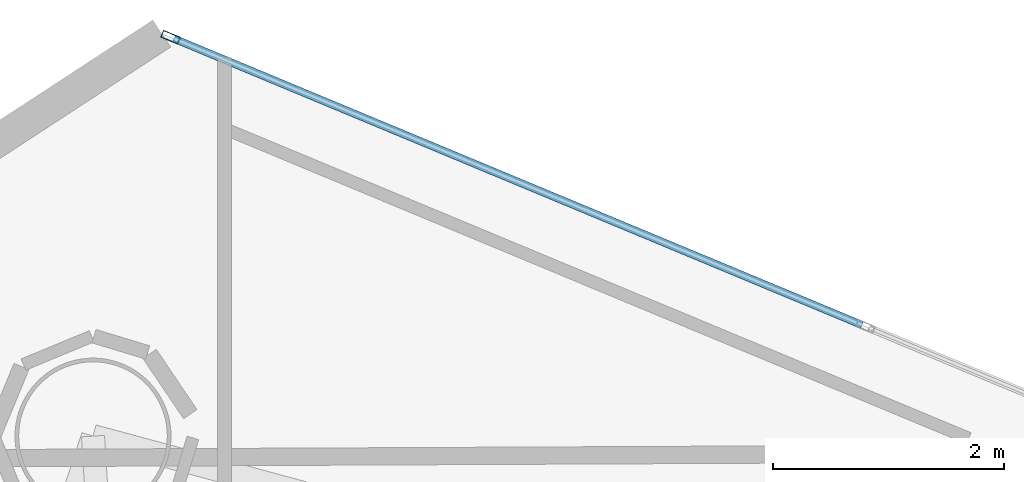
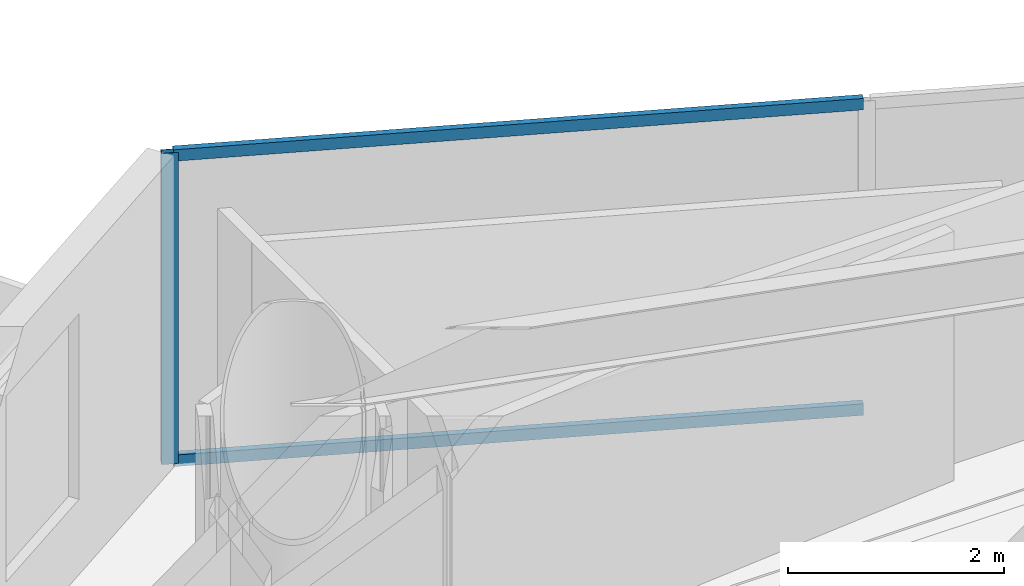
# One storey, part 17 of 23: 3 members, 1 element without a shape of its own.
"""IFC4 building model written with IfcOpenShell, lengths in metres."""

from ifc_helpers import new_model, si_unit, direction, frame, origin, origin_2d, place, context, subcontext, project, spatial, hollow_rectangle, extrude, material, layer, layer_set, material_profile, profile_set, type_object, element, aggregate, save


model = new_model("IFC4")

# Units and contexts
model_context = context("Model", 3, precision=1e-05, world=origin(), true_north=direction((0.0, 1.0)))
body_context = subcontext(model_context, "Body", "Model", "MODEL_VIEW")
ifc_project = project(units=[si_unit("LENGTHUNIT", "METRE"), si_unit("AREAUNIT", "SQUARE_METRE"), si_unit("VOLUMEUNIT", "CUBIC_METRE"), si_unit("PLANEANGLEUNIT", "RADIAN"), si_unit("MASSUNIT", "GRAM", prefix="KILO")], contexts=[model_context])

# Site, building, storey
site_placement = place(None, origin())
site = spatial("IfcSite", under=ifc_project, at=site_placement, CompositionType="ELEMENT")
building_placement = place(site_placement, origin())
building = spatial("IfcBuilding", under=site, at=building_placement, Name="Qianvela Tower", CompositionType="ELEMENT")
storey_placement = place(building_placement, frame((0.0, 0.0, 162.39990234375)))
storey = spatial("IfcBuildingStorey", under=building, at=storey_placement, Name="L41", CompositionType="ELEMENT", Elevation=162.39990234375)

# Curtain wall, members
ifc_material_1 = material(Name="Anodised Architectural Aluminium and Low-E Glass", Category="aluminium")
ifc_layer = layer(ifc_material_1, 0.169921875)
ifc_layer_set = layer_set([ifc_layer], Name="Anodised Architectural Aluminium and Low-E Glass")
curtain_wall_type = type_object("IfcCurtainWallType", Name="CW-COLIV-Z34", PredefinedType="USERDEFINED", material=ifc_layer_set)
curtain_wall_placement = place(storey_placement, origin())
curtain_wall = element("IfcCurtainWall", 1, at=curtain_wall_placement, inside=storey, type_object=curtain_wall_type, Name="L41 CW-COLIV-Z34 Curtain Wall 02C", ObjectType="CURTAIN_WALL_SYSTEM", PredefinedType="USERDEFINED")
ifc_material_2 = material(Name="Anodised Architectural Aluminium 6063-T6", Category="aluminium")
ifc_material_profile_1 = material_profile(ifc_material_2, hollow_rectangle(XDim=0.06494140625, YDim=0.159912109375, WallThickness=0.0048828125, at=origin_2d()), Name="ALU-MULL-65x160")
ifc_profile_set_1 = profile_set([ifc_material_profile_1], Name="Anodised Architectural Aluminium 6063-T6")
member_type_1 = type_object("IfcMemberType", Name="CW-COLIV-Z34-MULL", PredefinedType="MULLION", material=ifc_profile_set_1)
member_1_placement = place(storey_placement, frame((28.906005859375, 42.86279296875, 0.0), z_axis=(0.0, 0.0, 1.0), x_axis=(-0.3841819173, -0.923257415037, 0.0)))
member_1 = element("IfcMember", 2, at=member_1_placement, type_object=member_type_1, Name="CW-4 mullion 3", PredefinedType="MULLION", context=body_context, shape_type="SweptSolid", body=[
    extrude(hollow_rectangle(XDim=0.06494140625, YDim=0.159912109375, WallThickness=0.0048828125, at=origin_2d()), origin(), (0.0, 0.0, 1.0), 3.52001953125),
])
ifc_material_3 = material(Name="Anodised Architectural Aluminium 6063-T6", Category="aluminium")
ifc_material_profile_2 = material_profile(ifc_material_3, hollow_rectangle(XDim=0.06494140625, YDim=0.1298828125, WallThickness=0.00439453125, at=origin_2d()), Name="ALU-TRAN-65x130")
ifc_profile_set_2 = profile_set([ifc_material_profile_2], Name="Anodised Architectural Aluminium 6063-T6")
member_type_2 = type_object("IfcMemberType", Name="CW-COLIV-Z34-TRAN", PredefinedType="USERDEFINED", material=ifc_profile_set_2)
member_2_placement = place(storey_placement, frame((34.888427734375, 40.373291015625, 0.03271484375), z_axis=(-0.92325383303, 0.384190525384, 0.0), x_axis=(-0.384190525384, -0.92325383303, 0.0)))
member_2 = element("IfcMember", 3, at=member_2_placement, type_object=member_type_2, Name="CW-4 transom 2.1", ObjectType="TRANSOM", PredefinedType="USERDEFINED", context=body_context, shape_type="SweptSolid", body=[
    extrude(hollow_rectangle(XDim=0.06494140625, YDim=0.1298828125, WallThickness=0.00439453125, at=origin_2d()), origin(), (0.0, 0.0, 1.0), 6.447509765625),
])
member_3_placement = place(storey_placement, frame((34.888427734375, 40.373291015625, 3.487548828125), z_axis=(-0.92325383303, 0.384190525384, 0.0), x_axis=(-0.384190525384, -0.92325383303, 0.0)))
member_3 = element("IfcMember", 4, at=member_3_placement, type_object=member_type_2, Name="CW-4 transom 2.2", ObjectType="TRANSOM", PredefinedType="USERDEFINED", context=body_context, shape_type="SweptSolid", body=[
    extrude(hollow_rectangle(XDim=0.06494140625, YDim=0.1298828125, WallThickness=0.00439453125, at=origin_2d()), origin(), (0.0, 0.0, 1.0), 6.447509765625),
])
aggregate(curtain_wall, [member_1, member_2, member_3])

save(model, "model.ifc")
